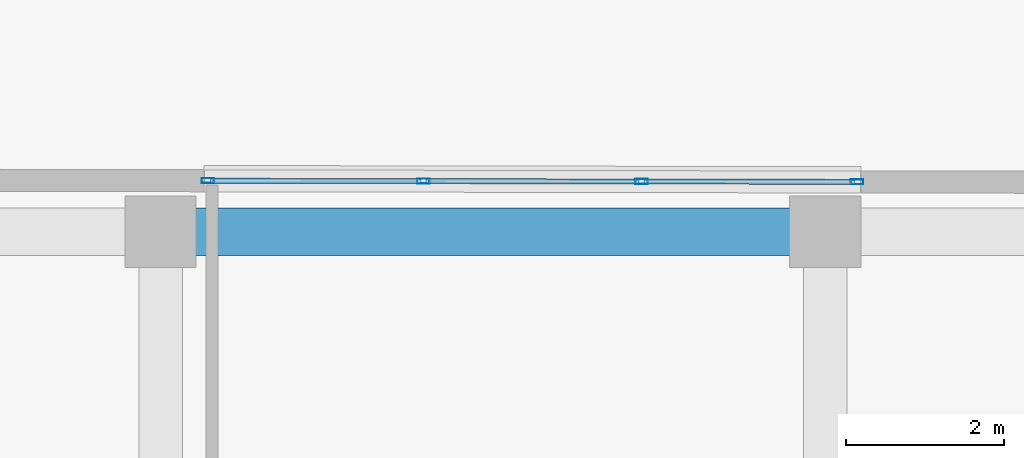
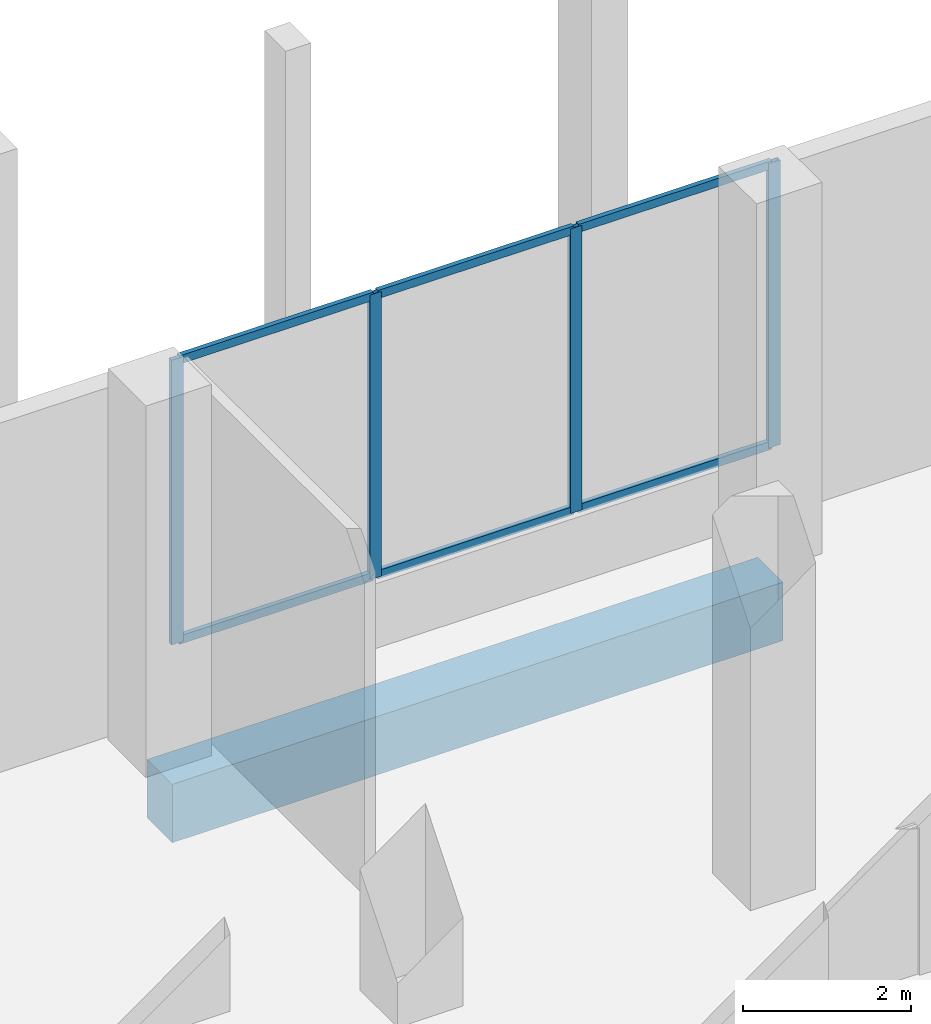
# One storey, part 116 of 158: 10 members, 1 beam, 1 element without a shape of its own.
"""IFC4 building model written with IfcOpenShell, lengths in metres."""

from ifc_helpers import new_model, si_unit, direction, frame, origin, origin_2d, place, context, subcontext, project, spatial, rectangle, hollow_rectangle, extrude, material, material_profile, profile_set, type_object, element, aggregate, save


model = new_model("IFC4")

# Units and contexts
model_context = context("Model", 3, precision=1e-05, world=origin(), true_north=direction((0.0, 1.0)))
body_context = subcontext(model_context, "Body", "Model", "MODEL_VIEW")
ifc_project = project(units=[si_unit("LENGTHUNIT", "METRE"), si_unit("AREAUNIT", "SQUARE_METRE"), si_unit("VOLUMEUNIT", "CUBIC_METRE"), si_unit("PLANEANGLEUNIT", "RADIAN"), si_unit("MASSUNIT", "GRAM", prefix="KILO")], contexts=[model_context])

# Site, building, storey
site_placement = place(None, origin())
site = spatial("IfcSite", under=ifc_project, at=site_placement, CompositionType="ELEMENT")
building_placement = place(site_placement, origin())
building = spatial("IfcBuilding", under=site, at=building_placement, Name="Selatvlak General Hospital", CompositionType="ELEMENT")
storey_placement = place(building_placement, origin())
storey = spatial("IfcBuildingStorey", under=building, at=storey_placement, Name="L00", CompositionType="ELEMENT", Elevation=0.0)

# Beam
ifc_material_1 = material(Name="Concrete C40/50", Category="concrete")
ifc_material_profile_1 = material_profile(ifc_material_1, rectangle(XDim=0.60009765625, YDim=0.85009765625, at=origin_2d()), Name="RC-BM 600x850")
ifc_profile_set_1 = profile_set([ifc_material_profile_1], Name="Concrete C40/50")
beam_type = type_object("IfcBeamType", Name="BM-G01", PredefinedType="BEAM", material=ifc_profile_set_1)
beam_placement = place(storey_placement, frame((156.550048828125, 114.0, -0.77490234375), z_axis=(1.0, 0.0, 0.0), x_axis=(0.0, 1.0, 0.0)))
element("IfcBeam", 1, at=beam_placement, inside=storey, type_object=beam_type, Name="Beam BMR-L00-0143", PredefinedType="BEAM", context=body_context, shape_type="SweptSolid", body=[
    extrude(rectangle(XDim=0.60009765625, YDim=0.85009765625, at=origin_2d()), origin(), (0.0, 0.0, 1.0), 8.39990234375),
])

# Curtain wall, members
ifc_material_2 = material(Name="Solar-control Low-E double glazing", Category="glass")
curtain_wall_type = type_object("IfcCurtainWallType", Name="CW-CW-01", PredefinedType="USERDEFINED", material=ifc_material_2)
curtain_wall_placement = place(storey_placement, origin())
curtain_wall = element("IfcCurtainWall", 2, at=curtain_wall_placement, inside=storey, type_object=curtain_wall_type, Name="Glazed facade curtain wall CW-L00-0012", ObjectType="UNITISED CURTAIN WALL", PredefinedType="USERDEFINED")
ifc_material_3 = material(Name="Dark anodised aluminium mullion", Category="aluminium")
ifc_material_profile_2 = material_profile(ifc_material_3, hollow_rectangle(XDim=0.06494140625, YDim=0.159912109375, WallThickness=0.00390625, at=origin_2d()), Name="AL-MUL 65x160x4")
ifc_profile_set_2 = profile_set([ifc_material_profile_2], Name="Dark anodised aluminium mullion")
member_type_1 = type_object("IfcMemberType", Name="CWM-01", PredefinedType="MULLION", material=ifc_profile_set_2)
member_1_placement = place(storey_placement, frame((157.1474609375, 114.64501953125, 0.93994140625), z_axis=(0.0, 0.0, 1.0), x_axis=(0.001814001134, 0.999998354699, 0.0)))
member_1 = element("IfcMember", 3, at=member_1_placement, type_object=member_type_1, Name="CW-01 mullion 1", PredefinedType="MULLION", context=body_context, shape_type="SweptSolid", body=[
    extrude(hollow_rectangle(XDim=0.06494140625, YDim=0.159912109375, WallThickness=0.00390625, at=origin_2d()), origin(), (0.0, 0.0, 1.0), 4.14013671875),
])
member_2_placement = place(storey_placement, frame((159.871337890625, 114.639892578125, 0.93994140625), z_axis=(0.0, 0.0, 1.0), x_axis=(0.001814001134, 0.999998354699, 0.0)))
member_2 = element("IfcMember", 4, at=member_2_placement, type_object=member_type_1, Name="CW-01 mullion 2", PredefinedType="MULLION", context=body_context, shape_type="SweptSolid", body=[
    extrude(hollow_rectangle(XDim=0.06494140625, YDim=0.159912109375, WallThickness=0.00390625, at=origin_2d()), origin(), (0.0, 0.0, 1.0), 4.14013671875),
])
member_3_placement = place(storey_placement, frame((162.627685546875, 114.635009765625, 0.93994140625), z_axis=(0.0, 0.0, 1.0), x_axis=(0.001814001134, 0.999998354699, 0.0)))
member_3 = element("IfcMember", 5, at=member_3_placement, type_object=member_type_1, Name="CW-01 mullion 3", PredefinedType="MULLION", context=body_context, shape_type="SweptSolid", body=[
    extrude(hollow_rectangle(XDim=0.06494140625, YDim=0.159912109375, WallThickness=0.00390625, at=origin_2d()), origin(), (0.0, 0.0, 1.0), 4.14013671875),
])
member_4_placement = place(storey_placement, frame((165.3515625, 114.630126953125, 0.93994140625), z_axis=(0.0, 0.0, 1.0), x_axis=(0.001814001134, 0.999998354699, 0.0)))
member_4 = element("IfcMember", 6, at=member_4_placement, type_object=member_type_1, Name="CW-01 mullion 4", PredefinedType="MULLION", context=body_context, shape_type="SweptSolid", body=[
    extrude(hollow_rectangle(XDim=0.06494140625, YDim=0.159912109375, WallThickness=0.00390625, at=origin_2d()), origin(), (0.0, 0.0, 1.0), 4.14013671875),
])
ifc_material_profile_3 = material_profile(ifc_material_3, hollow_rectangle(XDim=0.06494140625, YDim=0.1201171875, WallThickness=0.00390625, at=origin_2d()), Name="AL-TRN 65x120x4")
ifc_profile_set_3 = profile_set([ifc_material_profile_3], Name="Dark anodised aluminium mullion")
member_type_2 = type_object("IfcMemberType", Name="CWT-01", PredefinedType="USERDEFINED", material=ifc_profile_set_3)
member_5_placement = place(storey_placement, frame((157.179931640625, 114.644775390625, 0.972412109375), z_axis=(0.999998478259, -0.001744557073, 0.0), x_axis=(0.001744557073, 0.999998478259, 0.0)))
member_5 = element("IfcMember", 7, at=member_5_placement, type_object=member_type_2, Name="CW-01 transom 1.1", ObjectType="TRANSOM", PredefinedType="USERDEFINED", context=body_context, shape_type="SweptSolid", body=[
    extrude(hollow_rectangle(XDim=0.06494140625, YDim=0.1201171875, WallThickness=0.00390625, at=origin_2d()), origin(), (0.0, 0.0, 1.0), 2.658935546875),
])
member_6_placement = place(storey_placement, frame((157.179931640625, 114.644775390625, 5.047607421875), z_axis=(0.999998478259, -0.001744557073, 0.0), x_axis=(0.001744557073, 0.999998478259, 0.0)))
member_6 = element("IfcMember", 8, at=member_6_placement, type_object=member_type_2, Name="CW-01 transom 1.2", ObjectType="TRANSOM", PredefinedType="USERDEFINED", context=body_context, shape_type="SweptSolid", body=[
    extrude(hollow_rectangle(XDim=0.06494140625, YDim=0.1201171875, WallThickness=0.00390625, at=origin_2d()), origin(), (0.0, 0.0, 1.0), 2.658935546875),
])
member_7_placement = place(storey_placement, frame((159.90380859375, 114.639892578125, 0.972412109375), z_axis=(0.999998354301, -0.001814220527, 0.0), x_axis=(0.001814220527, 0.999998354301, 0.0)))
member_7 = element("IfcMember", 9, at=member_7_placement, type_object=member_type_2, Name="CW-01 transom 2.1", ObjectType="TRANSOM", PredefinedType="USERDEFINED", context=body_context, shape_type="SweptSolid", body=[
    extrude(hollow_rectangle(XDim=0.06494140625, YDim=0.1201171875, WallThickness=0.00390625, at=origin_2d()), origin(), (0.0, 0.0, 1.0), 2.69140625),
])
member_8_placement = place(storey_placement, frame((159.90380859375, 114.639892578125, 5.047607421875), z_axis=(0.999998354301, -0.001814220527, 0.0), x_axis=(0.001814220527, 0.999998354301, 0.0)))
member_8 = element("IfcMember", 10, at=member_8_placement, type_object=member_type_2, Name="CW-01 transom 2.2", ObjectType="TRANSOM", PredefinedType="USERDEFINED", context=body_context, shape_type="SweptSolid", body=[
    extrude(hollow_rectangle(XDim=0.06494140625, YDim=0.1201171875, WallThickness=0.00390625, at=origin_2d()), origin(), (0.0, 0.0, 1.0), 2.69140625),
])
member_9_placement = place(storey_placement, frame((162.66015625, 114.635009765625, 0.972412109375), z_axis=(0.999998313861, -0.001836375565, 0.0), x_axis=(0.001836375565, 0.999998313861, 0.0)))
member_9 = element("IfcMember", 11, at=member_9_placement, type_object=member_type_2, Name="CW-01 transom 3.1", ObjectType="TRANSOM", PredefinedType="USERDEFINED", context=body_context, shape_type="SweptSolid", body=[
    extrude(hollow_rectangle(XDim=0.06494140625, YDim=0.1201171875, WallThickness=0.00390625, at=origin_2d()), origin(), (0.0, 0.0, 1.0), 2.658935546875),
])
member_10_placement = place(storey_placement, frame((162.66015625, 114.635009765625, 5.047607421875), z_axis=(0.999998313861, -0.001836375565, 0.0), x_axis=(0.001836375565, 0.999998313861, 0.0)))
member_10 = element("IfcMember", 12, at=member_10_placement, type_object=member_type_2, Name="CW-01 transom 3.2", ObjectType="TRANSOM", PredefinedType="USERDEFINED", context=body_context, shape_type="SweptSolid", body=[
    extrude(hollow_rectangle(XDim=0.06494140625, YDim=0.1201171875, WallThickness=0.00390625, at=origin_2d()), origin(), (0.0, 0.0, 1.0), 2.658935546875),
])
aggregate(curtain_wall, [member_1, member_2, member_3, member_4, member_5, member_6, member_7, member_8, member_9, member_10])

save(model, "model.ifc")
